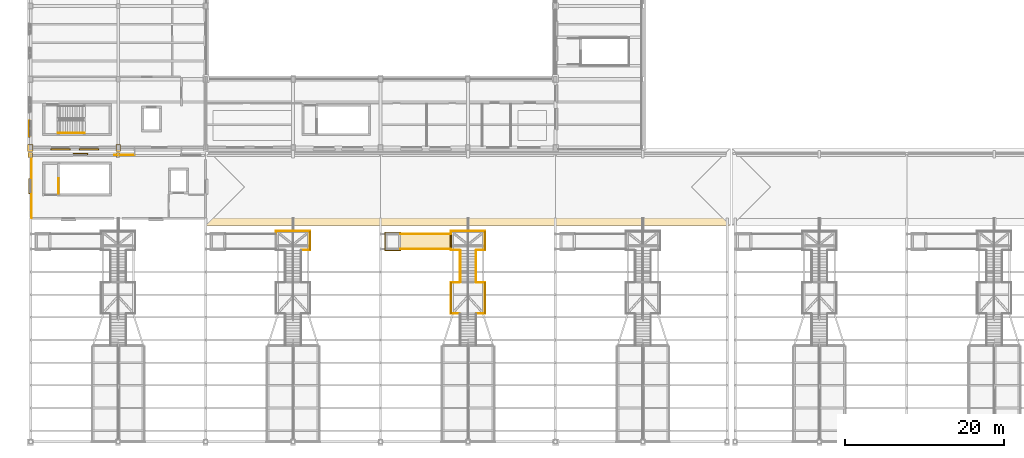
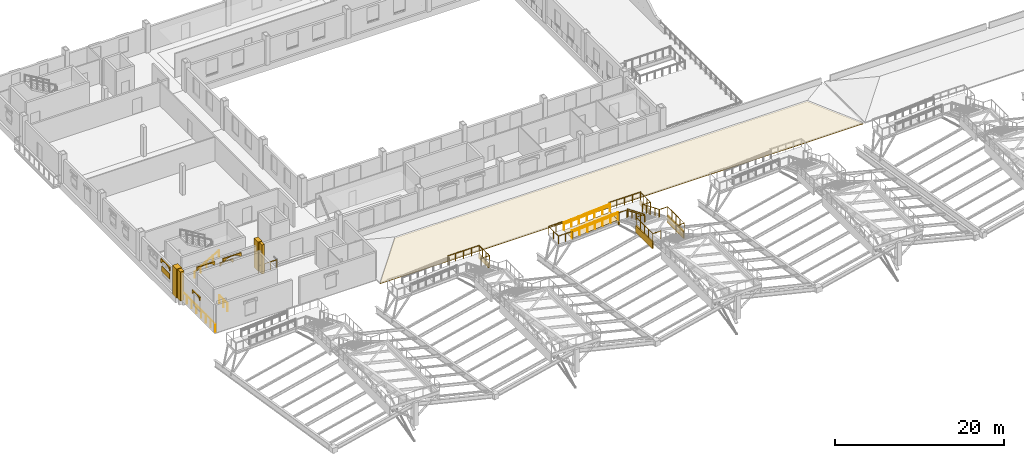
# One storey, part 34 of 43: 17 railings, 16 coverings, 1 shading device.
"""IFC4 building model written with IfcOpenShell, lengths in metres."""

from ifc_helpers import new_model, si_unit, direction, frame, frame_2d, origin, origin_2d, place, context, subcontext, project, spatial, polyline, rectangle, circle, outline, extrude, material, layer, layer_set, type_object, element, save


model = new_model("IFC4")

# Units and contexts
model_context = context("Model", 3, precision=1e-05, world=origin(), true_north=direction((0.0, 1.0)))
body_context = subcontext(model_context, "Body", "Model", "MODEL_VIEW")
ifc_project = project(units=[si_unit("LENGTHUNIT", "METRE"), si_unit("AREAUNIT", "SQUARE_METRE"), si_unit("VOLUMEUNIT", "CUBIC_METRE"), si_unit("PLANEANGLEUNIT", "RADIAN"), si_unit("MASSUNIT", "GRAM", prefix="KILO")], contexts=[model_context])

# Site, building, storey
site_placement = place(None, origin())
site = spatial("IfcSite", under=ifc_project, at=site_placement, CompositionType="ELEMENT")
building_placement = place(site_placement, origin())
building = spatial("IfcBuilding", under=site, at=building_placement, Name="Caurita Quay Ferry Terminal", CompositionType="ELEMENT")
storey_placement = place(building_placement, frame((0.0, 0.0, 14.10009765625)))
storey = spatial("IfcBuildingStorey", under=building, at=storey_placement, Name="L03", CompositionType="ELEMENT", Elevation=14.10009765625)

# Coverings
ifc_material_1 = material(Name="Warm-white lime stucco masonry", Category="masonry")
ifc_layer_1 = layer(ifc_material_1, 0.360107421875, Name="Spanish Colonial semicircular lime-stucco portales arcade 360 mm")
ifc_layer_set_1 = layer_set([ifc_layer_1], Name="Warm-white lime stucco masonry")
covering_type_1 = type_object("IfcCoveringType", Name="COV-ARC-CLD", PredefinedType="CLADDING", material=ifc_layer_set_1)
covering_1_placement = place(storey_placement, frame((35.1201171875, 58.699951171875, -0.550048828125), z_axis=(0.0, 0.0, 1.0), x_axis=(0.0, 1.0, 0.0)))
element("IfcCovering", 1, at=covering_1_placement, inside=storey, type_object=covering_type_1, Name="Folded Roof Bay 2 Lookout Stucco Skirt 07", PredefinedType="CLADDING", context=body_context, shape_type="SweptSolid", body=[
    extrude(rectangle(XDim=2.400146484375, YDim=0.179931640625, at=frame_2d((1.2001953125, 0.0))), origin(), (0.0, 0.0, 1.0), 0.6298828125),
])
for number, where, z_axis, x_axis, name in (
    (2, (52.8798828125, 54.64990234375, 0.849853515625), (0.0, 0.0, 1.0), (0.0, -1.0, 0.0), "Folded Roof Bay 3 Lookout Stucco Skirt 04"),
    (3, (57.1201171875, 50.72998046875, 0.849853515625), (0.0, 0.0, 1.0), (0.0, 1.0, 0.0), "Folded Roof Bay 3 Lookout Stucco Skirt 05"),
):
    element("IfcCovering", number, at=place(storey_placement, frame(where, z_axis=z_axis, x_axis=x_axis)), inside=storey, type_object=covering_type_1, Name=name, PredefinedType="CLADDING", context=body_context, shape_type="SweptSolid", body=[
        extrude(rectangle(XDim=3.919921875, YDim=0.179931640625, at=frame_2d((1.9599609375, 0.0))), origin(), (0.0, 0.0, 1.0), 1.030029296875),
    ])
for number, where, z_axis, x_axis, name in (
    (4, (52.8798828125, 61.10009765625, -0.550048828125), (0.0, 0.0, 1.0), (0.0, -1.0, 0.0), "Folded Roof Bay 3 Lookout Stucco Skirt 06"),
    (5, (57.1201171875, 58.699951171875, -0.550048828125), (0.0, 0.0, 1.0), (0.0, 1.0, 0.0), "Folded Roof Bay 3 Lookout Stucco Skirt 07"),
):
    element("IfcCovering", number, at=place(storey_placement, frame(where, z_axis=z_axis, x_axis=x_axis)), inside=storey, type_object=covering_type_1, Name=name, PredefinedType="CLADDING", context=body_context, shape_type="SweptSolid", body=[
        extrude(rectangle(XDim=2.400146484375, YDim=0.179931640625, at=frame_2d((1.2001953125, 0.0))), origin(), (0.0, 0.0, 1.0), 0.6298828125),
    ])
ifc_material_2 = material(Name="Polished marine terrazzo tile", Category="finish")
ifc_layer_2 = layer(ifc_material_2, 0.02490234375, Name="Polished marine terrazzo floor finish 25 mm")
ifc_layer_set_2 = layer_set([ifc_layer_2], Name="Polished marine terrazzo tile")
covering_type_2 = type_object("IfcCoveringType", Name="COV-FLR-025", PredefinedType="FLOORING", material=ifc_layer_set_2)
covering_2_placement = place(storey_placement, frame((46.530029296875, 58.840087890625, -0.35009765625), z_axis=(-0.071920937813, 0.0, 0.997410336173), x_axis=(0.997410336173, 0.0, 0.071920937813)))
element("IfcCovering", 6, at=covering_2_placement, inside=storey, type_object=covering_type_2, Name="Folded Roof Bay 3 Accessible Ramp Terrazzo Deck", PredefinedType="FLOORING", context=body_context, shape_type="SweptSolid", body=[
    extrude(outline(polyline([(0.0, 0.0), (6.256191667633518, 0.0), (6.256191667633518, 1.9199218750000004), (0.0, 1.9199218750000004), (0.0, 0.0)])), origin(), (0.0, 0.0, -1.0), 0.06005859375),
])
ifc_layer_3 = layer(ifc_material_1, 0.179931640625, Name="Classical engaged lime-stucco facade pilaster cladding 180 mm")
ifc_layer_set_3 = layer_set([ifc_layer_3], Name="Warm-white lime stucco masonry")
covering_type_3 = type_object("IfcCoveringType", Name="COV-PIL-CLD", PredefinedType="CLADDING", material=ifc_layer_set_3)
covering_3_placement = place(storey_placement, frame((-0.050048828125, 70.64990234375, 0.0), z_axis=(0.0, 0.0, 1.0), x_axis=(1.0, 0.0, 0.0)))
element("IfcCovering", 7, at=covering_3_placement, inside=storey, type_object=covering_type_3, Name="L03 Classical Engaged Pilaster 0017", PredefinedType="CLADDING", context=body_context, shape_type="SweptSolid", body=[
    extrude(rectangle(XDim=0.53662109375, YDim=0.643310546875, at=origin_2d()), origin(), (0.0, 0.0, 1.0), 4.199951171875),
])
covering_4_placement = place(storey_placement, frame((11.0, 70.64990234375, 0.0), z_axis=(0.0, 0.0, 1.0), x_axis=(1.0, 0.0, 0.0)))
element("IfcCovering", 8, at=covering_4_placement, inside=storey, type_object=covering_type_3, Name="L03 Classical Engaged Pilaster 0025", PredefinedType="CLADDING", context=body_context, shape_type="SweptSolid", body=[
    extrude(rectangle(XDim=0.37646484375, YDim=0.643310546875, at=origin_2d()), origin(), (0.0, 0.0, 1.0), 4.199951171875),
])
covering_5_placement = place(storey_placement, frame((-0.050048828125, 71.550048828125, 0.0), z_axis=(0.0, 0.0, 1.0), x_axis=(1.0, 0.0, 0.0)))
element("IfcCovering", 9, at=covering_5_placement, inside=storey, type_object=covering_type_3, Name="L03 Classical Engaged Pilaster 0269", PredefinedType="CLADDING", context=body_context, shape_type="SweptSolid", body=[
    extrude(rectangle(XDim=0.72998046875, YDim=0.929931640625, at=origin_2d()), origin(), (0.0, 0.0, 1.0), 4.199951171875),
])
covering_6_placement = place(storey_placement, frame((11.0, 71.550048828125, 0.0), z_axis=(0.0, 0.0, 1.0), x_axis=(1.0, 0.0, 0.0)))
element("IfcCovering", 10, at=covering_6_placement, inside=storey, type_object=covering_type_3, Name="L03 Classical Engaged Pilaster 0299", PredefinedType="CLADDING", context=body_context, shape_type="SweptSolid", body=[
    extrude(rectangle(XDim=0.570068359375, YDim=0.929931640625, at=origin_2d()), origin(), (0.0, 0.0, 1.0), 4.199951171875),
])
ifc_material_3 = material(Name="Terracotta clay barrel tile", Category="masonry")
ifc_layer_4 = layer(ifc_material_3, 0.06494140625, Name="Terracotta clay barrel-tile roofing course")
ifc_layer_set_4 = layer_set([ifc_layer_4], Name="Terracotta clay barrel tile")
covering_type_4 = type_object("IfcCoveringType", Name="COV-TEJA-ROOF", PredefinedType="ROOFING", material=ifc_layer_set_4)
covering_7_placement = place(storey_placement, frame((22.0, 61.800048828125, -0.14013671875), z_axis=(0.0, -0.377970373651, 0.925817690824), x_axis=(1.0, 0.0, 0.0)))
element("IfcCovering", 11, at=covering_7_placement, inside=storey, type_object=covering_type_4, Name="Terracotta Roof Timber Decking V1-SPN-S", PredefinedType="ROOFING", context=body_context, shape_type="SweptSolid", body=[
    extrude(outline(polyline([(0.0, 0.0), (66.0, 0.0), (61.14990234375, 5.238454140264247), (4.85009765625, 5.238454140264247), (0.0, 0.0)])), origin(), (0.0, 0.0, -1.0), 0.054931640625),
])
ifc_material_4 = material(Name="Coral stone ashlar cladding", Category="masonry")
ifc_layer_5 = layer(ifc_material_4, 0.139892578125, Name="Spanish Colonial semicircular arched window surround 140 mm")
ifc_layer_set_5 = layer_set([ifc_layer_5], Name="Coral stone ashlar cladding")
covering_type_5 = type_object("IfcCoveringType", Name="COV-WHD-MLD", PredefinedType="MOLDING", material=ifc_layer_set_5)
covering_8_placement = place(storey_placement, frame((-0.199951171875, 75.080078125, 2.72998046875), z_axis=(0.0, 0.0, 1.0), x_axis=(0.0, -1.0, 0.0)))
element("IfcCovering", 12, at=covering_8_placement, inside=storey, type_object=covering_type_5, Name="L03 Arched Window Surround 047", PredefinedType="MOLDING", context=body_context, shape_type="SweptSolid", body=[
    extrude(outline(polyline([(0.0, 0.0), (0.159912109375, 0.0), (0.159912109375, 0.0400390625), (0.205078125, 0.1728515625), (0.335693359375, 0.292724609375), (0.539306640625, 0.387939453125), (0.795654296875, 0.448974609375), (1.080078125, 0.469970703125), (1.364501953125, 0.448974609375), (1.620849609375, 0.387939453125), (1.824462890625, 0.292724609375), (1.955078125, 0.1728515625), (2.000244140625, 0.0400390625), (2.000244140625, 0.0), (2.16015625, 0.0), (2.16015625, 0.5498046875), (0.0, 0.5498046875), (0.0, 0.0)])), frame((0.0, 0.06982421875, 0.0), z_axis=(0.0, -1.0, 0.0), x_axis=(1.0, 0.0, 0.0)), (0.0, 0.0, 1.0), 0.139892578125),
])
for number, where, z_axis, x_axis, name in (
    (13, (2.52001953125, 71.39990234375, 2.72998046875), (0.0, 0.0, 1.0), (1.0, 0.0, 0.0), "L03 Arched Window Surround 070"),
    (14, (6.1201171875, 71.39990234375, 2.72998046875), (0.0, 0.0, 1.0), (1.0, 0.0, 0.0), "L03 Arched Window Surround 071"),
):
    element("IfcCovering", number, at=place(storey_placement, frame(where, z_axis=z_axis, x_axis=x_axis)), inside=storey, type_object=covering_type_5, Name=name, PredefinedType="MOLDING", context=body_context, shape_type="SweptSolid", body=[
        extrude(outline(polyline([(0.0, 0.0), (0.159912109375, 0.0), (0.159912109375, 0.0400390625), (0.21240234375, 0.1728515625), (0.3642578125, 0.292724609375), (0.60107421875, 0.387939453125), (0.8994140625, 0.448974609375), (1.22998046875, 0.469970703125), (1.560546875, 0.448974609375), (1.85888671875, 0.387939453125), (2.095703125, 0.292724609375), (2.24755859375, 0.1728515625), (2.300048828125, 0.0400390625), (2.300048828125, 0.0), (2.4599609375, 0.0), (2.4599609375, 0.5498046875), (0.0, 0.5498046875), (0.0, 0.0)])), frame((0.0, 0.06982421875, 0.0), z_axis=(0.0, -1.0, 0.0), x_axis=(1.0, 0.0, 0.0)), (0.0, 0.0, 1.0), 0.139892578125),
    ])
for number, where, z_axis, x_axis, name in (
    (15, (7.179931640625, 70.800048828125, 2.77978515625), (0.0, 0.0, 1.0), (-1.0, 0.0, 0.0), "L03 Arched Window Surround 179"),
    (16, (-0.199951171875, 67.679931640625, 2.77978515625), (0.0, 0.0, 1.0), (0.0, -1.0, 0.0), "L03 Arched Window Surround 182"),
):
    element("IfcCovering", number, at=place(storey_placement, frame(where, z_axis=z_axis, x_axis=x_axis)), inside=storey, type_object=covering_type_5, Name=name, PredefinedType="MOLDING", context=body_context, shape_type="SweptSolid", body=[
        extrude(outline(polyline([(0.0, 0.0), (0.159912109375, 0.0), (0.159912109375, 0.0400390625), (0.19775390625, 0.1513671875), (0.30712890625, 0.251708984375), (0.477294921875, 0.331298828125), (0.69189453125, 0.38232421875), (0.929931640625, 0.39990234375), (1.16796875, 0.38232421875), (1.382568359375, 0.331298828125), (1.552734375, 0.251708984375), (1.662109375, 0.1513671875), (1.699951171875, 0.0400390625), (1.699951171875, 0.0), (1.85986328125, 0.0), (1.85986328125, 0.480224609375), (0.0, 0.480224609375), (0.0, 0.0)])), frame((0.0, 0.06982421875, 0.0), z_axis=(0.0, -1.0, 0.0), x_axis=(1.0, 0.0, 0.0)), (0.0, 0.0, 1.0), 0.139892578125),
    ])

# Railings
ifc_material_5 = material(Name="Bronze architectural metalwork", Category="metal")
railing_type_1 = type_object("IfcRailingType", Name="RL-HND-090", PredefinedType="HANDRAIL", material=ifc_material_5)
railing_1_placement = place(storey_placement, frame((3.449951171875, 73.449951171875, 0.1748046875)))
element("IfcRailing", 17, at=railing_1_placement, inside=storey, type_object=railing_type_1, Name="L03 ST-02 stair handrail 1", PredefinedType="HANDRAIL", context=body_context, shape_type="SweptSolid", body=[
    extrude(circle(Radius=0.02392578125, at=origin_2d()), frame((0.0, 0.0, 0.8759765625), z_axis=(0.863776583165, 0.0, 0.503874998761), x_axis=(0.0, 1.0, 0.0)), (0.0, 0.0, 1.0), 3.820556640625),
    extrude(circle(Radius=0.02099609375, at=origin_2d()), origin(), (0.0, 0.0, 1.0), 0.851806640625),
    extrude(circle(Radius=0.02099609375, at=origin_2d()), frame((0.824951171875, 0.0, 0.481201171875)), (0.0, 0.0, 1.0), 0.851806640625),
    extrude(circle(Radius=0.02099609375, at=origin_2d()), frame((1.64990234375, 0.0, 0.96240234375)), (0.0, 0.0, 1.0), 0.851806640625),
    extrude(circle(Radius=0.02099609375, at=origin_2d()), frame((2.47509765625, 0.0, 1.44384765625)), (0.0, 0.0, 1.0), 0.851806640625),
    extrude(circle(Radius=0.02099609375, at=origin_2d()), frame((3.300048828125, 0.0, 1.925048828125)), (0.0, 0.0, 1.0), 0.851806640625),
])
railing_2_placement = place(storey_placement, frame((54.06005859375, 58.64990234375, 0.25)))
element("IfcRailing", 18, at=railing_2_placement, inside=storey, type_object=railing_type_1, Name="Waterside Peak Lookout 3 Handrail 1", PredefinedType="HANDRAIL", context=body_context, shape_type="SweptSolid", body=[
    extrude(circle(Radius=0.02392578125, at=origin_2d()), frame((0.0, 0.0, 0.8759765625), z_axis=(0.0, -0.923083657872, 0.384599220709), x_axis=(1.0, 0.0, 0.0)), (0.0, 0.0, 1.0), 4.2900390625),
    extrude(circle(Radius=0.02099609375, at=origin_2d()), origin(), (0.0, 0.0, 1.0), 0.851806640625),
    extrude(circle(Radius=0.02099609375, at=origin_2d()), frame((0.0, -0.989990234375, 0.41259765625)), (0.0, 0.0, 1.0), 0.851806640625),
    extrude(circle(Radius=0.02099609375, at=origin_2d()), frame((0.0, -1.97998046875, 0.824951171875)), (0.0, 0.0, 1.0), 0.851806640625),
    extrude(circle(Radius=0.02099609375, at=origin_2d()), frame((0.0, -2.969970703125, 1.2373046875)), (0.0, 0.0, 1.0), 0.851806640625),
    extrude(circle(Radius=0.02099609375, at=origin_2d()), frame((0.0, -3.9599609375, 1.64990234375)), (0.0, 0.0, 1.0), 0.851806640625),
])
for number, where, name in (
    (19, (46.5, 58.860107421875, -0.35009765625), "Folded Roof Bay 3 Accessible Lookout Ramp Handrail 1"),
    (20, (46.5, 60.739990234375, -0.35009765625), "Folded Roof Bay 3 Accessible Lookout Ramp Handrail 2"),
):
    element("IfcRailing", number, at=place(storey_placement, frame(where)), inside=storey, type_object=railing_type_1, Name=name, PredefinedType="HANDRAIL", context=body_context, shape_type="SweptSolid", body=[
        extrude(circle(Radius=0.02392578125, at=origin_2d()), frame((0.0, 0.0, 0.8759765625), z_axis=(0.997459288432, 0.0, 0.07123880909), x_axis=(0.0, 1.0, 0.0)), (0.0, 0.0, 1.0), 6.316162109375),
        extrude(circle(Radius=0.02099609375, at=origin_2d()), origin(), (0.0, 0.0, 1.0), 0.851806640625),
        extrude(circle(Radius=0.02099609375, at=origin_2d()), frame((1.050048828125, 0.0, 0.074951171875)), (0.0, 0.0, 1.0), 0.851806640625),
        extrude(circle(Radius=0.02099609375, at=origin_2d()), frame((2.10009765625, 0.0, 0.14990234375)), (0.0, 0.0, 1.0), 0.851806640625),
        extrude(circle(Radius=0.02099609375, at=origin_2d()), frame((3.14990234375, 0.0, 0.22509765625)), (0.0, 0.0, 1.0), 0.851806640625),
        extrude(circle(Radius=0.02099609375, at=origin_2d()), frame((4.199951171875, 0.0, 0.300048828125)), (0.0, 0.0, 1.0), 0.851806640625),
        extrude(circle(Radius=0.02099609375, at=origin_2d()), frame((5.25, 0.0, 0.375)), (0.0, 0.0, 1.0), 0.851806640625),
        extrude(circle(Radius=0.02099609375, at=origin_2d()), frame((6.300048828125, 0.0, 0.449951171875)), (0.0, 0.0, 1.0), 0.851806640625),
    ])
railing_type_2 = type_object("IfcRailingType", Name="RL-REJA-115", PredefinedType="BALUSTRADE", material=ifc_material_5)
railing_3_placement = place(storey_placement, frame((0.1201171875, 62.75, 0.0)))
element("IfcRailing", 21, at=railing_3_placement, inside=storey, type_object=railing_type_2, Name="L03 Belvedere West Edge Guard (040)", PredefinedType="BALUSTRADE", context=body_context, shape_type="SweptSolid", body=[
    extrude(circle(Radius=0.02392578125, at=origin_2d()), frame((0.0, 0.0, 1.1259765625), z_axis=(0.0, 1.0, 0.0), x_axis=(-1.0, 0.0, 0.0)), (0.0, 0.0, 1.0), 7.89990234375),
    extrude(circle(Radius=0.02099609375, at=origin_2d()), origin(), (0.0, 0.0, 1.0), 1.101806640625),
    extrude(circle(Radius=0.02099609375, at=origin_2d()), frame((0.0, 1.128662109375, 0.0)), (0.0, 0.0, 1.0), 1.101806640625),
    extrude(circle(Radius=0.02099609375, at=origin_2d()), frame((0.0, 2.257080078125, 0.0)), (0.0, 0.0, 1.0), 1.101806640625),
    extrude(circle(Radius=0.02099609375, at=origin_2d()), frame((0.0, 3.3857421875, 0.0)), (0.0, 0.0, 1.0), 1.101806640625),
    extrude(circle(Radius=0.02099609375, at=origin_2d()), frame((0.0, 4.51416015625, 0.0)), (0.0, 0.0, 1.0), 1.101806640625),
    extrude(circle(Radius=0.02099609375, at=origin_2d()), frame((0.0, 5.642822265625, 0.0)), (0.0, 0.0, 1.0), 1.101806640625),
    extrude(circle(Radius=0.02099609375, at=origin_2d()), frame((0.0, 6.771240234375, 0.0)), (0.0, 0.0, 1.0), 1.101806640625),
    extrude(circle(Radius=0.02099609375, at=origin_2d()), frame((0.0, 7.89990234375, 0.0)), (0.0, 0.0, 1.0), 1.101806640625),
])
railing_4_placement = place(storey_placement, frame((10.5, 70.64990234375, 0.0)))
element("IfcRailing", 22, at=railing_4_placement, inside=storey, type_object=railing_type_2, Name="L03 North West Link Bridge West Guard (057)", PredefinedType="BALUSTRADE", context=body_context, shape_type="SweptSolid", body=[
    extrude(circle(Radius=0.02392578125, at=origin_2d()), frame((0.0, 0.0, 1.1259765625), z_axis=(1.0, 0.0, 0.0), x_axis=(0.0, 1.0, 0.0)), (0.0, 0.0, 1.0), 2.550048828125),
    extrude(circle(Radius=0.02099609375, at=origin_2d()), origin(), (0.0, 0.0, 1.0), 1.101806640625),
    extrude(circle(Radius=0.02099609375, at=origin_2d()), frame((0.85009765625, 0.0, 0.0)), (0.0, 0.0, 1.0), 1.101806640625),
    extrude(circle(Radius=0.02099609375, at=origin_2d()), frame((1.699951171875, 0.0, 0.0)), (0.0, 0.0, 1.0), 1.101806640625),
    extrude(circle(Radius=0.02099609375, at=origin_2d()), frame((2.550048828125, 0.0, 0.0)), (0.0, 0.0, 1.0), 1.101806640625),
])
railing_5_placement = place(storey_placement, frame((3.5, 65.800048828125, 0.0)))
element("IfcRailing", 23, at=railing_5_placement, inside=storey, type_object=railing_type_2, Name="L03 ST-05 top well guard 1", PredefinedType="BALUSTRADE", context=body_context, shape_type="SweptSolid", body=[
    extrude(circle(Radius=0.02392578125, at=origin_2d()), frame((0.0, 0.0, 1.1259765625), z_axis=(0.0, 1.0, 0.0), x_axis=(-1.0, 0.0, 0.0)), (0.0, 0.0, 1.0), 1.909912109375),
    extrude(circle(Radius=0.02099609375, at=origin_2d()), origin(), (0.0, 0.0, 1.0), 1.101806640625),
    extrude(circle(Radius=0.02099609375, at=origin_2d()), frame((0.0, 0.955078125, 0.0)), (0.0, 0.0, 1.0), 1.101806640625),
    extrude(circle(Radius=0.02099609375, at=origin_2d()), frame((0.0, 1.909912109375, 0.0)), (0.0, 0.0, 1.0), 1.101806640625),
])
railing_6_placement = place(storey_placement, frame((30.85009765625, 60.800048828125, 0.099853515625)))
element("IfcRailing", 24, at=railing_6_placement, inside=storey, type_object=railing_type_2, Name="Waterside Peak Lookout 2 Guardrail 2", PredefinedType="BALUSTRADE", context=body_context, shape_type="SweptSolid", body=[
    extrude(circle(Radius=0.02392578125, at=origin_2d()), frame((0.0, 0.0, 1.1259765625), z_axis=(0.0, 1.0, 0.0), x_axis=(-1.0, 0.0, 0.0)), (0.0, 0.0, 1.0), 0.300048828125),
    extrude(circle(Radius=0.02392578125, at=origin_2d()), frame((0.0, 0.300048828125, 1.1259765625), z_axis=(1.0, 0.0, 0.0), x_axis=(0.0, 1.0, 0.0)), (0.0, 0.0, 1.0), 4.2998046875),
    extrude(circle(Radius=0.02392578125, at=origin_2d()), frame((4.2998046875, 0.300048828125, 1.1259765625), z_axis=(0.0, -1.0, 0.0), x_axis=(1.0, 0.0, 0.0)), (0.0, 0.0, 1.0), 2.400146484375),
    extrude(circle(Radius=0.02392578125, at=origin_2d()), frame((4.2998046875, -2.10009765625, 1.1259765625), z_axis=(-1.0, 0.0, 0.0), x_axis=(0.0, -1.0, 0.0)), (0.0, 0.0, 1.0), 1.099853515625),
    extrude(circle(Radius=0.02099609375, at=origin_2d()), origin(), (0.0, 0.0, 1.0), 1.101806640625),
    extrude(circle(Radius=0.02099609375, at=origin_2d()), frame((0.0, 0.300048828125, 0.0)), (0.0, 0.0, 1.0), 1.101806640625),
    extrude(circle(Radius=0.02099609375, at=origin_2d()), frame((1.074951171875, 0.300048828125, 0.0)), (0.0, 0.0, 1.0), 1.101806640625),
    extrude(circle(Radius=0.02099609375, at=origin_2d()), frame((2.14990234375, 0.300048828125, 0.0)), (0.0, 0.0, 1.0), 1.101806640625),
    extrude(circle(Radius=0.02099609375, at=origin_2d()), frame((3.224853515625, 0.300048828125, 0.0)), (0.0, 0.0, 1.0), 1.101806640625),
    extrude(circle(Radius=0.02099609375, at=origin_2d()), frame((4.2998046875, 0.300048828125, 0.0)), (0.0, 0.0, 1.0), 1.101806640625),
    extrude(circle(Radius=0.02099609375, at=origin_2d()), frame((4.2998046875, -0.5, 0.0)), (0.0, 0.0, 1.0), 1.101806640625),
    extrude(circle(Radius=0.02099609375, at=origin_2d()), frame((4.2998046875, -1.300048828125, 0.0)), (0.0, 0.0, 1.0), 1.101806640625),
    extrude(circle(Radius=0.02099609375, at=origin_2d()), frame((4.2998046875, -2.10009765625, 0.0)), (0.0, 0.0, 1.0), 1.101806640625),
    extrude(circle(Radius=0.02099609375, at=origin_2d()), frame((3.199951171875, -2.10009765625, 0.0)), (0.0, 0.0, 1.0), 1.101806640625),
])
railing_7_placement = place(storey_placement, frame((53.949951171875, 58.699951171875, 0.099853515625)))
element("IfcRailing", 25, at=railing_7_placement, inside=storey, type_object=railing_type_2, Name="Waterside Peak Lookout 3 Guardrail 1", PredefinedType="BALUSTRADE", context=body_context, shape_type="SweptSolid", body=[
    extrude(circle(Radius=0.02392578125, at=origin_2d()), frame((0.0, 0.0, 1.1259765625), z_axis=(-1.0, 0.0, 0.0), x_axis=(0.0, -1.0, 0.0)), (0.0, 0.0, 1.0), 1.099853515625),
    extrude(circle(Radius=0.02392578125, at=origin_2d()), frame((-1.099853515625, 0.0, 1.1259765625), z_axis=(0.0, 1.0, 0.0), x_axis=(-1.0, 0.0, 0.0)), (0.0, 0.0, 1.0), 0.10009765625),
    extrude(circle(Radius=0.02099609375, at=origin_2d()), origin(), (0.0, 0.0, 1.0), 1.101806640625),
    extrude(circle(Radius=0.02099609375, at=origin_2d()), frame((-1.099853515625, 0.0, 0.0)), (0.0, 0.0, 1.0), 1.101806640625),
    extrude(circle(Radius=0.02099609375, at=origin_2d()), frame((-1.099853515625, 0.10009765625, 0.0)), (0.0, 0.0, 1.0), 1.101806640625),
])
railing_8_placement = place(storey_placement, frame((52.85009765625, 60.800048828125, 0.099853515625)))
element("IfcRailing", 26, at=railing_8_placement, inside=storey, type_object=railing_type_2, Name="Waterside Peak Lookout 3 Guardrail 2", PredefinedType="BALUSTRADE", context=body_context, shape_type="SweptSolid", body=[
    extrude(circle(Radius=0.02392578125, at=origin_2d()), frame((0.0, 0.0, 1.1259765625), z_axis=(0.0, 1.0, 0.0), x_axis=(-1.0, 0.0, 0.0)), (0.0, 0.0, 1.0), 0.300048828125),
    extrude(circle(Radius=0.02392578125, at=origin_2d()), frame((0.0, 0.300048828125, 1.1259765625), z_axis=(1.0, 0.0, 0.0), x_axis=(0.0, 1.0, 0.0)), (0.0, 0.0, 1.0), 4.2998046875),
    extrude(circle(Radius=0.02392578125, at=origin_2d()), frame((4.2998046875, 0.300048828125, 1.1259765625), z_axis=(0.0, -1.0, 0.0), x_axis=(1.0, 0.0, 0.0)), (0.0, 0.0, 1.0), 2.400146484375),
    extrude(circle(Radius=0.02392578125, at=origin_2d()), frame((4.2998046875, -2.10009765625, 1.1259765625), z_axis=(-1.0, 0.0, 0.0), x_axis=(0.0, -1.0, 0.0)), (0.0, 0.0, 1.0), 1.099853515625),
    extrude(circle(Radius=0.02099609375, at=origin_2d()), origin(), (0.0, 0.0, 1.0), 1.101806640625),
    extrude(circle(Radius=0.02099609375, at=origin_2d()), frame((0.0, 0.300048828125, 0.0)), (0.0, 0.0, 1.0), 1.101806640625),
    extrude(circle(Radius=0.02099609375, at=origin_2d()), frame((1.074951171875, 0.300048828125, 0.0)), (0.0, 0.0, 1.0), 1.101806640625),
    extrude(circle(Radius=0.02099609375, at=origin_2d()), frame((2.14990234375, 0.300048828125, 0.0)), (0.0, 0.0, 1.0), 1.101806640625),
    extrude(circle(Radius=0.02099609375, at=origin_2d()), frame((3.224853515625, 0.300048828125, 0.0)), (0.0, 0.0, 1.0), 1.101806640625),
    extrude(circle(Radius=0.02099609375, at=origin_2d()), frame((4.2998046875, 0.300048828125, 0.0)), (0.0, 0.0, 1.0), 1.101806640625),
    extrude(circle(Radius=0.02099609375, at=origin_2d()), frame((4.2998046875, -0.5, 0.0)), (0.0, 0.0, 1.0), 1.101806640625),
    extrude(circle(Radius=0.02099609375, at=origin_2d()), frame((4.2998046875, -1.300048828125, 0.0)), (0.0, 0.0, 1.0), 1.101806640625),
    extrude(circle(Radius=0.02099609375, at=origin_2d()), frame((4.2998046875, -2.10009765625, 0.0)), (0.0, 0.0, 1.0), 1.101806640625),
    extrude(circle(Radius=0.02099609375, at=origin_2d()), frame((3.199951171875, -2.10009765625, 0.0)), (0.0, 0.0, 1.0), 1.101806640625),
])
for number, where, name in (
    (27, (54.0, 58.64990234375, 0.25), "Waterside Peak Lookout 3 Guardrail 3"),
    (28, (56.0, 58.64990234375, 0.25), "Waterside Peak Lookout 3 Guardrail 4"),
):
    element("IfcRailing", number, at=place(storey_placement, frame(where)), inside=storey, type_object=railing_type_2, Name=name, PredefinedType="BALUSTRADE", context=body_context, shape_type="SweptSolid", body=[
        extrude(circle(Radius=0.02392578125, at=origin_2d()), frame((0.0, 0.0, 1.1259765625), z_axis=(0.0, -0.923083657872, 0.384599220709), x_axis=(1.0, 0.0, 0.0)), (0.0, 0.0, 1.0), 4.2900390625),
        extrude(circle(Radius=0.02099609375, at=origin_2d()), origin(), (0.0, 0.0, 1.0), 1.101806640625),
        extrude(circle(Radius=0.02099609375, at=origin_2d()), frame((0.0, -0.989990234375, 0.41259765625)), (0.0, 0.0, 1.0), 1.101806640625),
        extrude(circle(Radius=0.02099609375, at=origin_2d()), frame((0.0, -1.97998046875, 0.824951171875)), (0.0, 0.0, 1.0), 1.101806640625),
        extrude(circle(Radius=0.02099609375, at=origin_2d()), frame((0.0, -2.969970703125, 1.2373046875)), (0.0, 0.0, 1.0), 1.101806640625),
        extrude(circle(Radius=0.02099609375, at=origin_2d()), frame((0.0, -3.9599609375, 1.64990234375)), (0.0, 0.0, 1.0), 1.101806640625),
    ])
railing_9_placement = place(storey_placement, frame((53.949951171875, 54.639892578125, 1.89990234375)))
element("IfcRailing", 29, at=railing_9_placement, inside=storey, type_object=railing_type_2, Name="Waterside Peak Lookout 3 Guardrail 5", PredefinedType="BALUSTRADE", context=body_context, shape_type="SweptSolid", body=[
    extrude(circle(Radius=0.02392578125, at=origin_2d()), frame((0.0, 0.0, 1.1259765625), z_axis=(-1.0, 0.0, 0.0), x_axis=(0.0, -1.0, 0.0)), (0.0, 0.0, 1.0), 1.099853515625),
    extrude(circle(Radius=0.02392578125, at=origin_2d()), frame((-1.099853515625, 0.0, 1.1259765625), z_axis=(0.0, -1.0, 0.0), x_axis=(1.0, 0.0, 0.0)), (0.0, 0.0, 1.0), 3.89990234375),
    extrude(circle(Radius=0.02392578125, at=origin_2d()), frame((-1.099853515625, -3.89990234375, 1.1259765625), z_axis=(1.0, 0.0, 0.0), x_axis=(0.0, 1.0, 0.0)), (0.0, 0.0, 1.0), 1.099853515625),
    extrude(circle(Radius=0.02099609375, at=origin_2d()), origin(), (0.0, 0.0, 1.0), 1.101806640625),
    extrude(circle(Radius=0.02099609375, at=origin_2d()), frame((-1.099853515625, 0.0, 0.0)), (0.0, 0.0, 1.0), 1.101806640625),
    extrude(circle(Radius=0.02099609375, at=origin_2d()), frame((-1.099853515625, -0.97509765625, 0.0)), (0.0, 0.0, 1.0), 1.101806640625),
    extrude(circle(Radius=0.02099609375, at=origin_2d()), frame((-1.099853515625, -1.949951171875, 0.0)), (0.0, 0.0, 1.0), 1.101806640625),
    extrude(circle(Radius=0.02099609375, at=origin_2d()), frame((-1.099853515625, -2.9248046875, 0.0)), (0.0, 0.0, 1.0), 1.101806640625),
    extrude(circle(Radius=0.02099609375, at=origin_2d()), frame((-1.099853515625, -3.89990234375, 0.0)), (0.0, 0.0, 1.0), 1.101806640625),
    extrude(circle(Radius=0.02099609375, at=origin_2d()), frame((0.0, -3.89990234375, 0.0)), (0.0, 0.0, 1.0), 1.101806640625),
])
railing_10_placement = place(storey_placement, frame((56.050048828125, 54.639892578125, 1.89990234375)))
element("IfcRailing", 30, at=railing_10_placement, inside=storey, type_object=railing_type_2, Name="Waterside Peak Lookout 3 Guardrail 6", PredefinedType="BALUSTRADE", context=body_context, shape_type="SweptSolid", body=[
    extrude(circle(Radius=0.02392578125, at=origin_2d()), frame((0.0, 0.0, 1.1259765625), z_axis=(1.0, 0.0, 0.0), x_axis=(0.0, 1.0, 0.0)), (0.0, 0.0, 1.0), 1.099853515625),
    extrude(circle(Radius=0.02392578125, at=origin_2d()), frame((1.099853515625, 0.0, 1.1259765625), z_axis=(0.0, -1.0, 0.0), x_axis=(1.0, 0.0, 0.0)), (0.0, 0.0, 1.0), 3.89990234375),
    extrude(circle(Radius=0.02392578125, at=origin_2d()), frame((1.099853515625, -3.89990234375, 1.1259765625), z_axis=(-1.0, 0.0, 0.0), x_axis=(0.0, -1.0, 0.0)), (0.0, 0.0, 1.0), 1.099853515625),
    extrude(circle(Radius=0.02099609375, at=origin_2d()), origin(), (0.0, 0.0, 1.0), 1.101806640625),
    extrude(circle(Radius=0.02099609375, at=origin_2d()), frame((1.099853515625, 0.0, 0.0)), (0.0, 0.0, 1.0), 1.101806640625),
    extrude(circle(Radius=0.02099609375, at=origin_2d()), frame((1.099853515625, -0.97509765625, 0.0)), (0.0, 0.0, 1.0), 1.101806640625),
    extrude(circle(Radius=0.02099609375, at=origin_2d()), frame((1.099853515625, -1.949951171875, 0.0)), (0.0, 0.0, 1.0), 1.101806640625),
    extrude(circle(Radius=0.02099609375, at=origin_2d()), frame((1.099853515625, -2.9248046875, 0.0)), (0.0, 0.0, 1.0), 1.101806640625),
    extrude(circle(Radius=0.02099609375, at=origin_2d()), frame((1.099853515625, -3.89990234375, 0.0)), (0.0, 0.0, 1.0), 1.101806640625),
    extrude(circle(Radius=0.02099609375, at=origin_2d()), frame((0.0, -3.89990234375, 0.0)), (0.0, 0.0, 1.0), 1.101806640625),
])
railing_11_placement = place(storey_placement, frame((46.5, 58.64990234375, -0.35009765625)))
element("IfcRailing", 31, at=railing_11_placement, inside=storey, type_object=railing_type_2, Name="Folded Roof Bay 3 Accessible Lookout Ramp Landing Guardrail", PredefinedType="BALUSTRADE", context=body_context, shape_type="SweptSolid", body=[
    extrude(circle(Radius=0.02392578125, at=origin_2d()), frame((0.0, 0.0, 1.1259765625), z_axis=(-1.0, 0.0, 0.0), x_axis=(0.0, -1.0, 0.0)), (0.0, 0.0, 1.0), 1.949951171875),
    extrude(circle(Radius=0.02392578125, at=origin_2d()), frame((-1.949951171875, 0.0, 1.1259765625), z_axis=(0.0, 1.0, 0.0), x_axis=(-1.0, 0.0, 0.0)), (0.0, 0.0, 1.0), 2.300048828125),
    extrude(circle(Radius=0.02392578125, at=origin_2d()), frame((-1.949951171875, 2.300048828125, 1.1259765625), z_axis=(1.0, 0.0, 0.0), x_axis=(0.0, 1.0, 0.0)), (0.0, 0.0, 1.0), 1.949951171875),
    extrude(circle(Radius=0.02099609375, at=origin_2d()), origin(), (0.0, 0.0, 1.0), 1.101806640625),
    extrude(circle(Radius=0.02099609375, at=origin_2d()), frame((-0.97509765625, 0.0, 0.0)), (0.0, 0.0, 1.0), 1.101806640625),
    extrude(circle(Radius=0.02099609375, at=origin_2d()), frame((-1.949951171875, 0.0, 0.0)), (0.0, 0.0, 1.0), 1.101806640625),
    extrude(circle(Radius=0.02099609375, at=origin_2d()), frame((-1.949951171875, 1.14990234375, 0.0)), (0.0, 0.0, 1.0), 1.101806640625),
    extrude(circle(Radius=0.02099609375, at=origin_2d()), frame((-1.949951171875, 2.300048828125, 0.0)), (0.0, 0.0, 1.0), 1.101806640625),
    extrude(circle(Radius=0.02099609375, at=origin_2d()), frame((-0.97509765625, 2.300048828125, 0.0)), (0.0, 0.0, 1.0), 1.101806640625),
    extrude(circle(Radius=0.02099609375, at=origin_2d()), frame((0.0, 2.300048828125, 0.0)), (0.0, 0.0, 1.0), 1.101806640625),
])
for number, where, name in (
    (32, (46.5, 58.830078125, -0.35009765625), "Folded Roof Bay 3 Accessible Lookout Ramp Guardrail 1"),
    (33, (46.5, 60.77001953125, -0.35009765625), "Folded Roof Bay 3 Accessible Lookout Ramp Guardrail 2"),
):
    element("IfcRailing", number, at=place(storey_placement, frame(where)), inside=storey, type_object=railing_type_2, Name=name, PredefinedType="BALUSTRADE", context=body_context, shape_type="SweptSolid", body=[
        extrude(circle(Radius=0.02392578125, at=origin_2d()), frame((0.0, 0.0, 1.1259765625), z_axis=(0.997459288432, 0.0, 0.07123880909), x_axis=(0.0, 1.0, 0.0)), (0.0, 0.0, 1.0), 6.316162109375),
        extrude(circle(Radius=0.02099609375, at=origin_2d()), origin(), (0.0, 0.0, 1.0), 1.101806640625),
        extrude(circle(Radius=0.02099609375, at=origin_2d()), frame((1.050048828125, 0.0, 0.074951171875)), (0.0, 0.0, 1.0), 1.101806640625),
        extrude(circle(Radius=0.02099609375, at=origin_2d()), frame((2.10009765625, 0.0, 0.14990234375)), (0.0, 0.0, 1.0), 1.101806640625),
        extrude(circle(Radius=0.02099609375, at=origin_2d()), frame((3.14990234375, 0.0, 0.22509765625)), (0.0, 0.0, 1.0), 1.101806640625),
        extrude(circle(Radius=0.02099609375, at=origin_2d()), frame((4.199951171875, 0.0, 0.300048828125)), (0.0, 0.0, 1.0), 1.101806640625),
        extrude(circle(Radius=0.02099609375, at=origin_2d()), frame((5.25, 0.0, 0.375)), (0.0, 0.0, 1.0), 1.101806640625),
        extrude(circle(Radius=0.02099609375, at=origin_2d()), frame((6.300048828125, 0.0, 0.449951171875)), (0.0, 0.0, 1.0), 1.101806640625),
    ])

# Shading device
ifc_material_6 = material(Name="Tropical mahogany hardwood", Category="wood")
shading_device_type = type_object("IfcShadingDeviceType", Name="SHD-SHT-01", PredefinedType="SHUTTER", material=ifc_material_6)
shading_device_placement = place(storey_placement, frame((-0.16796875, 74.0, 1.44482421875), z_axis=(0.0, 0.0, 1.0), x_axis=(0.0, -1.0, 0.0)))
element("IfcShadingDevice", 34, at=shading_device_placement, inside=storey, type_object=shading_device_type, Name="L03 Tropical Window Sun-Breaker 052", PredefinedType="SHUTTER", context=body_context, shape_type="SweptSolid", body=[
    extrude(rectangle(XDim=1.89990234375, YDim=0.06005859375, at=origin_2d()), origin(), (0.0, 0.0, 1.0), 0.81005859375),
])

save(model, "model.ifc")
